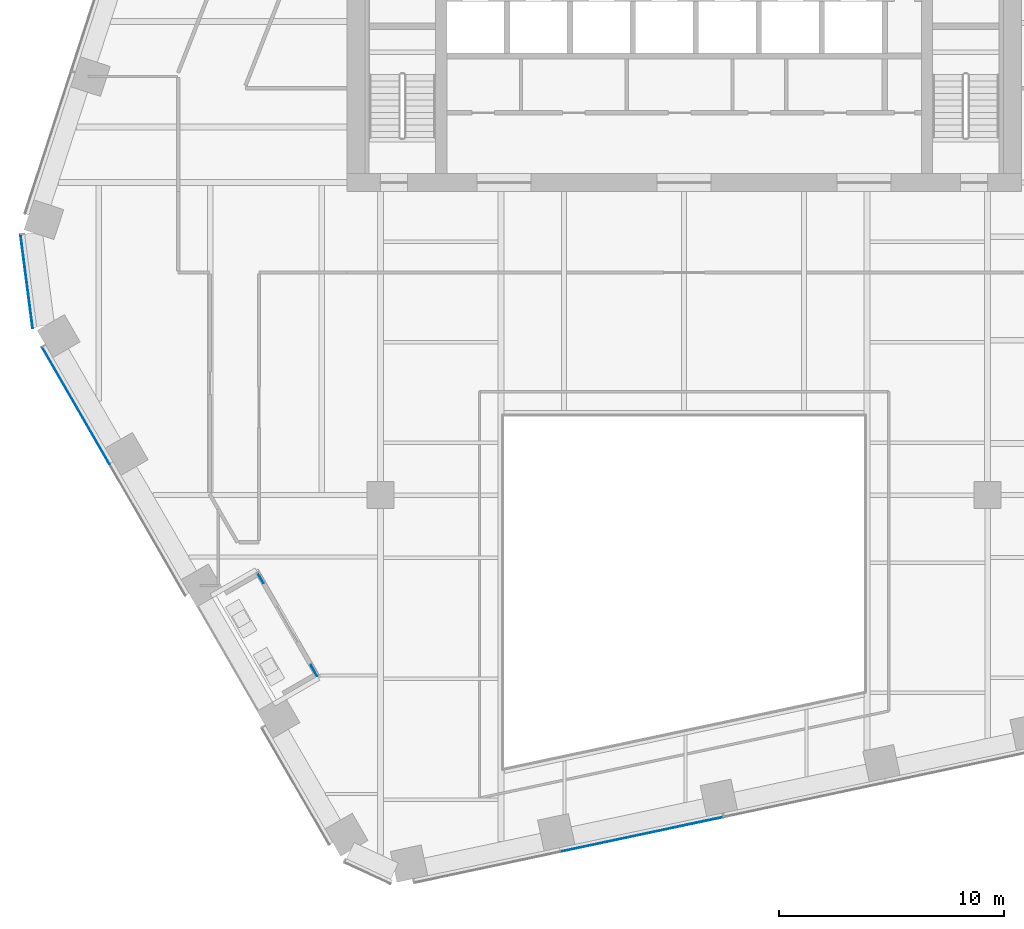
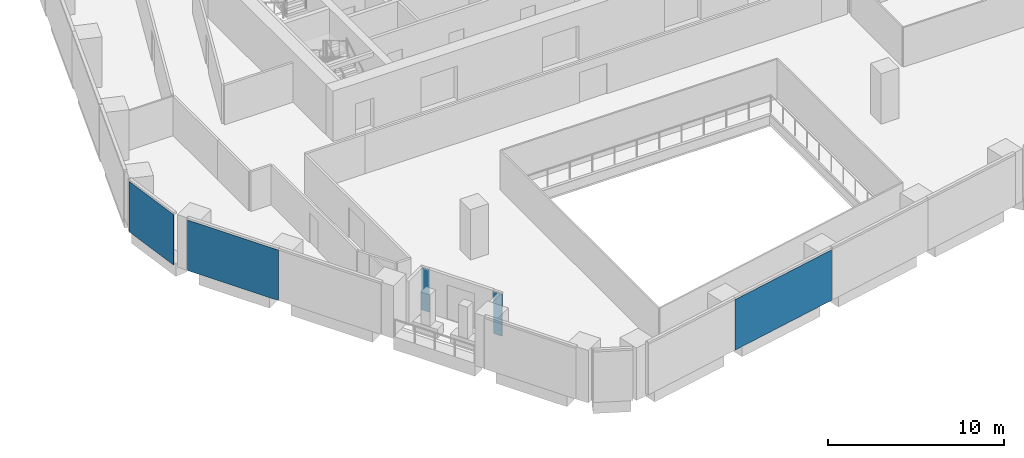
# One storey, part 13 of 26: 5 plates, 4 elements without a shape of their own.
"""IFC4 building model written with IfcOpenShell, lengths in metres."""

from ifc_helpers import new_model, si_unit, direction, frame, origin, origin_2d, place, context, subcontext, project, spatial, rectangle, extrude, material, layer, layer_set, type_object, element, aggregate, save


model = new_model("IFC4")

# Units and contexts
model_context = context("Model", 3, precision=1e-05, world=origin(), true_north=direction((0.0, 1.0)))
body_context = subcontext(model_context, "Body", "Model", "MODEL_VIEW")
ifc_project = project(units=[si_unit("LENGTHUNIT", "METRE"), si_unit("AREAUNIT", "SQUARE_METRE"), si_unit("VOLUMEUNIT", "CUBIC_METRE"), si_unit("PLANEANGLEUNIT", "RADIAN"), si_unit("MASSUNIT", "GRAM", prefix="KILO")], contexts=[model_context])

# Site, building, storey
site_placement = place(None, origin())
site = spatial("IfcSite", under=ifc_project, at=site_placement, CompositionType="ELEMENT")
building_placement = place(site_placement, origin())
building = spatial("IfcBuilding", under=site, at=building_placement, Name="Isthmus Gate Tower", CompositionType="ELEMENT")
storey_placement = place(building_placement, frame((0.0, 0.0, 129.800048828125)))
storey = spatial("IfcBuildingStorey", under=building, at=storey_placement, Name="L31", CompositionType="ELEMENT", Elevation=129.800048828125)

# Curtain wall, plate
ifc_material_1 = material(Name="Aluminium, pale champagne anodised", Category="aluminium")
ifc_layer_1 = layer(ifc_material_1, 0.199951171875)
ifc_layer_set_1 = layer_set([ifc_layer_1], Name="CW-1 UNITISED CURTAIN WALL 200 DEEP")
curtain_wall_type_1 = type_object("IfcCurtainWallType", Name="CW-1 UNITISED CURTAIN WALL 200 DEEP", PredefinedType="NOTDEFINED", material=ifc_layer_set_1)
curtain_wall_1_placement = place(storey_placement, origin())
curtain_wall_1 = element("IfcCurtainWall", 1, at=curtain_wall_1_placement, inside=storey, type_object=curtain_wall_type_1, Name="CW-1 NW-SW L31", PredefinedType="NOTDEFINED")
ifc_material_2 = material(Name="Laminated low-iron glass, pale blue tint", Category="glass")
ifc_layer_2 = layer(ifc_material_2, 0.035888671875)
ifc_layer_set_2 = layer_set([ifc_layer_2], Name="CW-1 CLEAR GLASS LITE 36")
plate_type_1 = type_object("IfcPlateType", Name="CW-1 CLEAR GLASS LITE 36", PredefinedType="CURTAIN_PANEL", material=ifc_layer_set_2)
plate_1_placement = place(storey_placement, frame((-29.234619140625, -3.9990234375, 0.0), z_axis=(0.0, 0.0, 1.0), x_axis=(0.129164534, -0.991623175988, 0.0)))
plate_1 = element("IfcPlate", 2, at=plate_1_placement, type_object=plate_type_1, Name="CW-1 glass lite", PredefinedType="CURTAIN_PANEL", context=body_context, shape_type="SweptSolid", body=[
    extrude(rectangle(XDim=4.181396484375, YDim=0.035888671875, at=origin_2d()), origin(), (0.0, 0.0, 1.0), 3.510009765625),
])
aggregate(curtain_wall_1, [plate_1])

curtain_wall_2_placement = place(storey_placement, origin())
curtain_wall_2 = element("IfcCurtainWall", 3, at=curtain_wall_2_placement, inside=storey, type_object=curtain_wall_type_1, Name="CW-1 SW L31", PredefinedType="NOTDEFINED")
plate_2_placement = place(storey_placement, frame((-27.048095703125, -9.515380859375, 0.0), z_axis=(0.0, 0.0, 1.0), x_axis=(0.5, -0.866025403784, 0.0)))
plate_2 = element("IfcPlate", 4, at=plate_2_placement, type_object=plate_type_1, Name="CW-1 glass lite", PredefinedType="CURTAIN_PANEL", context=body_context, shape_type="SweptSolid", body=[
    extrude(rectangle(XDim=5.990234375, YDim=0.035888671875, at=origin_2d()), origin(), (0.0, 0.0, 1.0), 3.510009765625),
])
aggregate(curtain_wall_2, [plate_2])

curtain_wall_3_placement = place(storey_placement, origin())
curtain_wall_3 = element("IfcCurtainWall", 5, at=curtain_wall_3_placement, inside=storey, type_object=curtain_wall_type_1, Name="CW-1 S L31", PredefinedType="NOTDEFINED")
plate_3_placement = place(storey_placement, frame((-1.88671875, -28.587158203125, 0.0), z_axis=(0.0, 0.0, 1.0), x_axis=(0.978147600734, 0.207911690818, 0.0)))
plate_3 = element("IfcPlate", 6, at=plate_3_placement, type_object=plate_type_1, Name="CW-1 glass lite", PredefinedType="CURTAIN_PANEL", context=body_context, shape_type="SweptSolid", body=[
    extrude(rectangle(XDim=7.390869140625, YDim=0.035888671875, at=origin_2d()), origin(), (0.0, 0.0, 1.0), 3.510009765625),
])
aggregate(curtain_wall_3, [plate_3])

# Curtain wall, plates
ifc_material_3 = material(Name="Aluminium, pale champagne anodised", Category="aluminium")
ifc_layer_3 = layer(ifc_material_3, 0.14990234375)
ifc_layer_set_3 = layer_set([ifc_layer_3], Name="CW-6 LOGGIA BACK WALL GLAZING 150 DEEP")
curtain_wall_type_2 = type_object("IfcCurtainWallType", Name="CW-6 LOGGIA BACK WALL GLAZING 150 DEEP", PredefinedType="NOTDEFINED", material=ifc_layer_set_3)
curtain_wall_4_placement = place(storey_placement, origin())
curtain_wall_4 = element("IfcCurtainWall", 7, at=curtain_wall_4_placement, inside=storey, type_object=curtain_wall_type_2, Name="CW-6 SW L31", PredefinedType="NOTDEFINED")
ifc_material_4 = material(Name="Laminated low-iron glass, clear", Category="glass")
ifc_layer_4 = layer(ifc_material_4, 0.031982421875)
ifc_layer_set_4 = layer_set([ifc_layer_4], Name="CW-6 CLEAR GLASS LITE 32")
plate_type_2 = type_object("IfcPlateType", Name="CW-6 CLEAR GLASS LITE 32", PredefinedType="CURTAIN_PANEL", material=ifc_layer_set_4)
plate_4_placement = place(storey_placement, frame((-18.824462890625, -17.195068359375, 0.0), z_axis=(0.0, 0.0, 1.0), x_axis=(0.5, -0.866025403784, 0.0)))
plate_4 = element("IfcPlate", 8, at=plate_4_placement, type_object=plate_type_2, Name="CW-6 glass lite", PredefinedType="CURTAIN_PANEL", context=body_context, shape_type="SweptSolid", body=[
    extrude(rectangle(XDim=0.51513671875, YDim=0.031982421875, at=origin_2d()), origin(), (0.0, 0.0, 1.0), 2.929931640625),
])
plate_5_placement = place(storey_placement, frame((-16.451904296875, -21.304443359375, 0.0), z_axis=(0.0, 0.0, 1.0), x_axis=(0.5, -0.866025403784, 0.0)))
plate_5 = element("IfcPlate", 9, at=plate_5_placement, type_object=plate_type_2, Name="CW-6 glass lite", PredefinedType="CURTAIN_PANEL", context=body_context, shape_type="SweptSolid", body=[
    extrude(rectangle(XDim=0.574951171875, YDim=0.031982421875, at=origin_2d()), origin(), (0.0, 0.0, 1.0), 2.929931640625),
])
aggregate(curtain_wall_4, [plate_4, plate_5])

save(model, "model.ifc")
